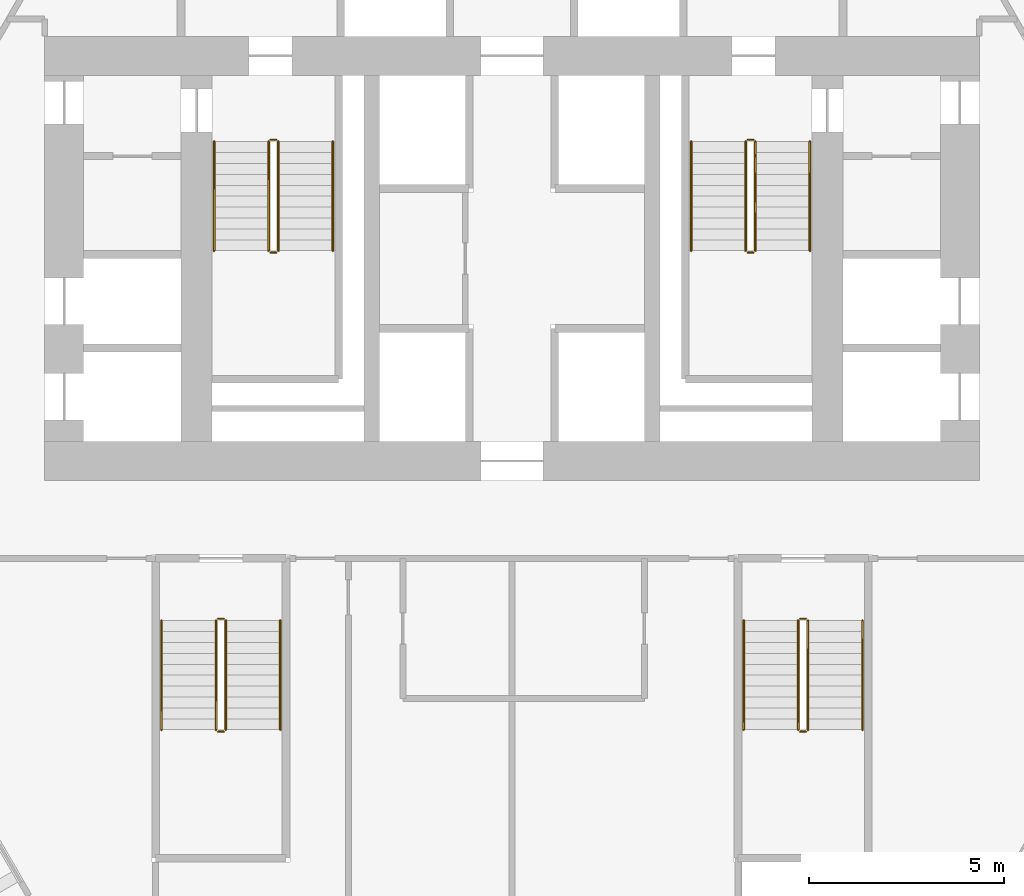
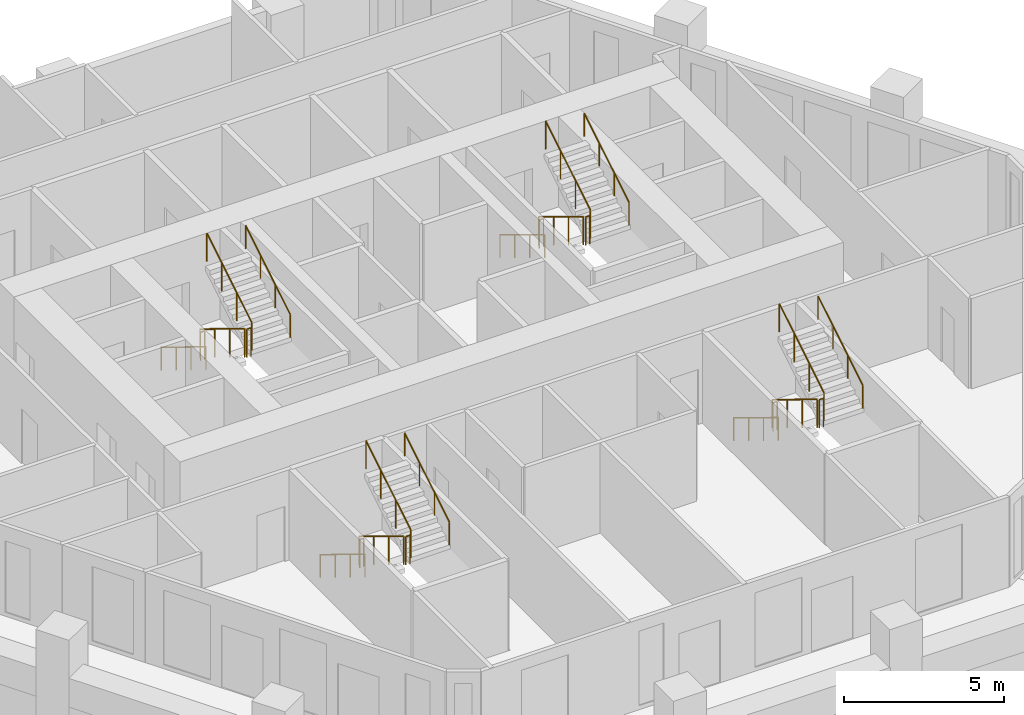
# One storey, part 7 of 7: 24 railings.
"""IFC4 building model written with IfcOpenShell, lengths in metres."""

from ifc_helpers import new_model, si_unit, direction, frame, origin, origin_2d, place, context, subcontext, project, spatial, circle, extrude, material, type_object, element, save


model = new_model("IFC4")

# Units and contexts
model_context = context("Model", 3, precision=1e-05, world=origin(), true_north=direction((0.0, 1.0)))
body_context = subcontext(model_context, "Body", "Model", "MODEL_VIEW")
ifc_project = project(units=[si_unit("LENGTHUNIT", "METRE"), si_unit("AREAUNIT", "SQUARE_METRE"), si_unit("VOLUMEUNIT", "CUBIC_METRE"), si_unit("PLANEANGLEUNIT", "RADIAN"), si_unit("MASSUNIT", "GRAM", prefix="KILO")], contexts=[model_context])

# Site, building, storey
site_placement = place(None, origin())
site = spatial("IfcSite", under=ifc_project, at=site_placement, CompositionType="ELEMENT")
building_placement = place(site_placement, origin())
building = spatial("IfcBuilding", under=site, at=building_placement, Name="Ostrander Bayou Hotel Tower", CompositionType="ELEMENT")
storey_placement = place(building_placement, frame((0.0, 0.0, 119.75)))
storey = spatial("IfcBuildingStorey", under=building, at=storey_placement, Name="L29", CompositionType="ELEMENT", Elevation=119.75)

# Railings
ifc_material_1 = material(Name="Steel ASTM A500 Gr C", Category="steel")
railing_type_1 = type_object("IfcRailingType", Name="GR1 stair guard 1100 mm steel", PredefinedType="GUARDRAIL", material=ifc_material_1)
railing_1_placement = place(storey_placement, frame((-6.25, 7.0, 0.17041015625)))
element("IfcRailing", 1, at=railing_1_placement, inside=storey, type_object=railing_type_1, Name="L29 STA stair guard 1", PredefinedType="GUARDRAIL", context=body_context, shape_type="SweptSolid", body=[
    extrude(circle(Radius=0.02392578125, at=origin_2d()), frame((0.0, 0.0, 1.076171875), z_axis=(0.0, -0.854169791009, 0.51999420009), x_axis=(1.0, 0.0, 0.0)), (0.0, 0.0, 1.0), 3.278076171875),
    extrude(circle(Radius=0.02099609375, at=origin_2d()), origin(), (0.0, 0.0, 1.0), 1.052001953125),
    extrude(circle(Radius=0.02099609375, at=origin_2d()), frame((0.0, -0.933349609375, 0.568115234375)), (0.0, 0.0, 1.0), 1.052001953125),
    extrude(circle(Radius=0.02099609375, at=origin_2d()), frame((0.0, -1.86669921875, 1.136474609375)), (0.0, 0.0, 1.0), 1.052001953125),
    extrude(circle(Radius=0.02099609375, at=origin_2d()), frame((0.0, -2.800048828125, 1.70458984375)), (0.0, 0.0, 1.0), 1.052001953125),
])
railing_2_placement = place(storey_placement, frame((-6.199951171875, 4.14990234375, 1.875)))
element("IfcRailing", 2, at=railing_2_placement, inside=storey, type_object=railing_type_1, Name="L29 STA stair guard 2", PredefinedType="GUARDRAIL", context=body_context, shape_type="SweptSolid", body=[
    extrude(circle(Radius=0.02392578125, at=origin_2d()), frame((0.0, 0.0, 1.076171875), z_axis=(1.0, 0.0, 0.0), x_axis=(0.0, 1.0, 0.0)), (0.0, 0.0, 1.0), 0.14990234375),
    extrude(circle(Radius=0.02099609375, at=origin_2d()), origin(), (0.0, 0.0, 1.0), 1.052001953125),
    extrude(circle(Radius=0.02099609375, at=origin_2d()), frame((0.14990234375, 0.0, 0.0)), (0.0, 0.0, 1.0), 1.052001953125),
])
railing_3_placement = place(storey_placement, frame((-6.0, 4.199951171875, 2.04541015625)))
element("IfcRailing", 3, at=railing_3_placement, inside=storey, type_object=railing_type_1, Name="L29 STA stair guard 3", PredefinedType="GUARDRAIL", context=body_context, shape_type="SweptSolid", body=[
    extrude(circle(Radius=0.02392578125, at=origin_2d()), frame((0.0, 0.0, 1.076171875), z_axis=(0.0, 0.854169791009, 0.51999420009), x_axis=(-1.0, 0.0, 0.0)), (0.0, 0.0, 1.0), 3.278076171875),
    extrude(circle(Radius=0.02099609375, at=origin_2d()), origin(), (0.0, 0.0, 1.0), 1.052001953125),
    extrude(circle(Radius=0.02099609375, at=origin_2d()), frame((0.0, 0.933349609375, 0.568115234375)), (0.0, 0.0, 1.0), 1.052001953125),
    extrude(circle(Radius=0.02099609375, at=origin_2d()), frame((0.0, 1.86669921875, 1.136474609375)), (0.0, 0.0, 1.0), 1.052001953125),
    extrude(circle(Radius=0.02099609375, at=origin_2d()), frame((0.0, 2.800048828125, 1.70458984375)), (0.0, 0.0, 1.0), 1.052001953125),
])
railing_4_placement = place(storey_placement, frame((-6.199951171875, 7.050048828125, 0.0)))
element("IfcRailing", 4, at=railing_4_placement, inside=storey, type_object=railing_type_1, Name="L29 STA stair guard 4", PredefinedType="GUARDRAIL", context=body_context, shape_type="SweptSolid", body=[
    extrude(circle(Radius=0.02392578125, at=origin_2d()), frame((0.0, 0.0, 1.076171875), z_axis=(1.0, 0.0, 0.0), x_axis=(0.0, 1.0, 0.0)), (0.0, 0.0, 1.0), 0.14990234375),
    extrude(circle(Radius=0.02099609375, at=origin_2d()), origin(), (0.0, 0.0, 1.0), 1.052001953125),
    extrude(circle(Radius=0.02099609375, at=origin_2d()), frame((0.14990234375, 0.0, 0.0)), (0.0, 0.0, 1.0), 1.052001953125),
])
railing_5_placement = place(storey_placement, frame((6.0, 7.0, 0.17041015625)))
element("IfcRailing", 5, at=railing_5_placement, inside=storey, type_object=railing_type_1, Name="L29 STB stair guard 1", PredefinedType="GUARDRAIL", context=body_context, shape_type="SweptSolid", body=[
    extrude(circle(Radius=0.02392578125, at=origin_2d()), frame((0.0, 0.0, 1.076171875), z_axis=(0.0, -0.854169791009, 0.51999420009), x_axis=(1.0, 0.0, 0.0)), (0.0, 0.0, 1.0), 3.278076171875),
    extrude(circle(Radius=0.02099609375, at=origin_2d()), origin(), (0.0, 0.0, 1.0), 1.052001953125),
    extrude(circle(Radius=0.02099609375, at=origin_2d()), frame((0.0, -0.933349609375, 0.568115234375)), (0.0, 0.0, 1.0), 1.052001953125),
    extrude(circle(Radius=0.02099609375, at=origin_2d()), frame((0.0, -1.86669921875, 1.136474609375)), (0.0, 0.0, 1.0), 1.052001953125),
    extrude(circle(Radius=0.02099609375, at=origin_2d()), frame((0.0, -2.800048828125, 1.70458984375)), (0.0, 0.0, 1.0), 1.052001953125),
])
railing_6_placement = place(storey_placement, frame((6.050048828125, 4.14990234375, 1.875)))
element("IfcRailing", 6, at=railing_6_placement, inside=storey, type_object=railing_type_1, Name="L29 STB stair guard 2", PredefinedType="GUARDRAIL", context=body_context, shape_type="SweptSolid", body=[
    extrude(circle(Radius=0.02392578125, at=origin_2d()), frame((0.0, 0.0, 1.076171875), z_axis=(1.0, 0.0, 0.0), x_axis=(0.0, 1.0, 0.0)), (0.0, 0.0, 1.0), 0.14990234375),
    extrude(circle(Radius=0.02099609375, at=origin_2d()), origin(), (0.0, 0.0, 1.0), 1.052001953125),
    extrude(circle(Radius=0.02099609375, at=origin_2d()), frame((0.14990234375, 0.0, 0.0)), (0.0, 0.0, 1.0), 1.052001953125),
])
railing_7_placement = place(storey_placement, frame((6.25, 4.199951171875, 2.04541015625)))
element("IfcRailing", 7, at=railing_7_placement, inside=storey, type_object=railing_type_1, Name="L29 STB stair guard 3", PredefinedType="GUARDRAIL", context=body_context, shape_type="SweptSolid", body=[
    extrude(circle(Radius=0.02392578125, at=origin_2d()), frame((0.0, 0.0, 1.076171875), z_axis=(0.0, 0.854169791009, 0.51999420009), x_axis=(-1.0, 0.0, 0.0)), (0.0, 0.0, 1.0), 3.278076171875),
    extrude(circle(Radius=0.02099609375, at=origin_2d()), origin(), (0.0, 0.0, 1.0), 1.052001953125),
    extrude(circle(Radius=0.02099609375, at=origin_2d()), frame((0.0, 0.933349609375, 0.568115234375)), (0.0, 0.0, 1.0), 1.052001953125),
    extrude(circle(Radius=0.02099609375, at=origin_2d()), frame((0.0, 1.86669921875, 1.136474609375)), (0.0, 0.0, 1.0), 1.052001953125),
    extrude(circle(Radius=0.02099609375, at=origin_2d()), frame((0.0, 2.800048828125, 1.70458984375)), (0.0, 0.0, 1.0), 1.052001953125),
])
railing_8_placement = place(storey_placement, frame((6.050048828125, 7.050048828125, 0.0)))
element("IfcRailing", 8, at=railing_8_placement, inside=storey, type_object=railing_type_1, Name="L29 STB stair guard 4", PredefinedType="GUARDRAIL", context=body_context, shape_type="SweptSolid", body=[
    extrude(circle(Radius=0.02392578125, at=origin_2d()), frame((0.0, 0.0, 1.076171875), z_axis=(1.0, 0.0, 0.0), x_axis=(0.0, 1.0, 0.0)), (0.0, 0.0, 1.0), 0.14990234375),
    extrude(circle(Radius=0.02099609375, at=origin_2d()), origin(), (0.0, 0.0, 1.0), 1.052001953125),
    extrude(circle(Radius=0.02099609375, at=origin_2d()), frame((0.14990234375, 0.0, 0.0)), (0.0, 0.0, 1.0), 1.052001953125),
])
railing_9_placement = place(storey_placement, frame((7.35009765625, -5.300048828125, 0.17041015625)))
element("IfcRailing", 9, at=railing_9_placement, inside=storey, type_object=railing_type_1, Name="L29 STC stair guard 1", PredefinedType="GUARDRAIL", context=body_context, shape_type="SweptSolid", body=[
    extrude(circle(Radius=0.02392578125, at=origin_2d()), frame((0.0, 0.0, 1.076171875), z_axis=(0.0, -0.854169791009, 0.51999420009), x_axis=(1.0, 0.0, 0.0)), (0.0, 0.0, 1.0), 3.278076171875),
    extrude(circle(Radius=0.02099609375, at=origin_2d()), origin(), (0.0, 0.0, 1.0), 1.052001953125),
    extrude(circle(Radius=0.02099609375, at=origin_2d()), frame((0.0, -0.933349609375, 0.568115234375)), (0.0, 0.0, 1.0), 1.052001953125),
    extrude(circle(Radius=0.02099609375, at=origin_2d()), frame((0.0, -1.86669921875, 1.136474609375)), (0.0, 0.0, 1.0), 1.052001953125),
    extrude(circle(Radius=0.02099609375, at=origin_2d()), frame((0.0, -2.800048828125, 1.70458984375)), (0.0, 0.0, 1.0), 1.052001953125),
])
railing_10_placement = place(storey_placement, frame((7.39990234375, -8.14990234375, 1.875)))
element("IfcRailing", 10, at=railing_10_placement, inside=storey, type_object=railing_type_1, Name="L29 STC stair guard 2", PredefinedType="GUARDRAIL", context=body_context, shape_type="SweptSolid", body=[
    extrude(circle(Radius=0.02392578125, at=origin_2d()), frame((0.0, 0.0, 1.076171875), z_axis=(1.0, 0.0, 0.0), x_axis=(0.0, 1.0, 0.0)), (0.0, 0.0, 1.0), 0.150146484375),
    extrude(circle(Radius=0.02099609375, at=origin_2d()), origin(), (0.0, 0.0, 1.0), 1.052001953125),
    extrude(circle(Radius=0.02099609375, at=origin_2d()), frame((0.150146484375, 0.0, 0.0)), (0.0, 0.0, 1.0), 1.052001953125),
])
railing_11_placement = place(storey_placement, frame((7.60009765625, -8.10009765625, 2.04541015625)))
element("IfcRailing", 11, at=railing_11_placement, inside=storey, type_object=railing_type_1, Name="L29 STC stair guard 3", PredefinedType="GUARDRAIL", context=body_context, shape_type="SweptSolid", body=[
    extrude(circle(Radius=0.02392578125, at=origin_2d()), frame((0.0, 0.0, 1.076171875), z_axis=(0.0, 0.854169791009, 0.51999420009), x_axis=(-1.0, 0.0, 0.0)), (0.0, 0.0, 1.0), 3.278076171875),
    extrude(circle(Radius=0.02099609375, at=origin_2d()), origin(), (0.0, 0.0, 1.0), 1.052001953125),
    extrude(circle(Radius=0.02099609375, at=origin_2d()), frame((0.0, 0.933349609375, 0.568115234375)), (0.0, 0.0, 1.0), 1.052001953125),
    extrude(circle(Radius=0.02099609375, at=origin_2d()), frame((0.0, 1.86669921875, 1.136474609375)), (0.0, 0.0, 1.0), 1.052001953125),
    extrude(circle(Radius=0.02099609375, at=origin_2d()), frame((0.0, 2.800048828125, 1.70458984375)), (0.0, 0.0, 1.0), 1.052001953125),
])
railing_12_placement = place(storey_placement, frame((7.39990234375, -5.25, 0.0)))
element("IfcRailing", 12, at=railing_12_placement, inside=storey, type_object=railing_type_1, Name="L29 STC stair guard 4", PredefinedType="GUARDRAIL", context=body_context, shape_type="SweptSolid", body=[
    extrude(circle(Radius=0.02392578125, at=origin_2d()), frame((0.0, 0.0, 1.076171875), z_axis=(1.0, 0.0, 0.0), x_axis=(0.0, 1.0, 0.0)), (0.0, 0.0, 1.0), 0.150146484375),
    extrude(circle(Radius=0.02099609375, at=origin_2d()), origin(), (0.0, 0.0, 1.0), 1.052001953125),
    extrude(circle(Radius=0.02099609375, at=origin_2d()), frame((0.150146484375, 0.0, 0.0)), (0.0, 0.0, 1.0), 1.052001953125),
])
railing_13_placement = place(storey_placement, frame((-7.60009765625, -5.300048828125, 0.17041015625)))
element("IfcRailing", 13, at=railing_13_placement, inside=storey, type_object=railing_type_1, Name="L29 STD stair guard 1", PredefinedType="GUARDRAIL", context=body_context, shape_type="SweptSolid", body=[
    extrude(circle(Radius=0.02392578125, at=origin_2d()), frame((0.0, 0.0, 1.076171875), z_axis=(0.0, -0.854169791009, 0.51999420009), x_axis=(1.0, 0.0, 0.0)), (0.0, 0.0, 1.0), 3.278076171875),
    extrude(circle(Radius=0.02099609375, at=origin_2d()), origin(), (0.0, 0.0, 1.0), 1.052001953125),
    extrude(circle(Radius=0.02099609375, at=origin_2d()), frame((0.0, -0.933349609375, 0.568115234375)), (0.0, 0.0, 1.0), 1.052001953125),
    extrude(circle(Radius=0.02099609375, at=origin_2d()), frame((0.0, -1.86669921875, 1.136474609375)), (0.0, 0.0, 1.0), 1.052001953125),
    extrude(circle(Radius=0.02099609375, at=origin_2d()), frame((0.0, -2.800048828125, 1.70458984375)), (0.0, 0.0, 1.0), 1.052001953125),
])
railing_14_placement = place(storey_placement, frame((-7.550048828125, -8.14990234375, 1.875)))
element("IfcRailing", 14, at=railing_14_placement, inside=storey, type_object=railing_type_1, Name="L29 STD stair guard 2", PredefinedType="GUARDRAIL", context=body_context, shape_type="SweptSolid", body=[
    extrude(circle(Radius=0.02392578125, at=origin_2d()), frame((0.0, 0.0, 1.076171875), z_axis=(1.0, 0.0, 0.0), x_axis=(0.0, 1.0, 0.0)), (0.0, 0.0, 1.0), 0.150146484375),
    extrude(circle(Radius=0.02099609375, at=origin_2d()), origin(), (0.0, 0.0, 1.0), 1.052001953125),
    extrude(circle(Radius=0.02099609375, at=origin_2d()), frame((0.150146484375, 0.0, 0.0)), (0.0, 0.0, 1.0), 1.052001953125),
])
railing_15_placement = place(storey_placement, frame((-7.35009765625, -8.10009765625, 2.04541015625)))
element("IfcRailing", 15, at=railing_15_placement, inside=storey, type_object=railing_type_1, Name="L29 STD stair guard 3", PredefinedType="GUARDRAIL", context=body_context, shape_type="SweptSolid", body=[
    extrude(circle(Radius=0.02392578125, at=origin_2d()), frame((0.0, 0.0, 1.076171875), z_axis=(0.0, 0.854169791009, 0.51999420009), x_axis=(-1.0, 0.0, 0.0)), (0.0, 0.0, 1.0), 3.278076171875),
    extrude(circle(Radius=0.02099609375, at=origin_2d()), origin(), (0.0, 0.0, 1.0), 1.052001953125),
    extrude(circle(Radius=0.02099609375, at=origin_2d()), frame((0.0, 0.933349609375, 0.568115234375)), (0.0, 0.0, 1.0), 1.052001953125),
    extrude(circle(Radius=0.02099609375, at=origin_2d()), frame((0.0, 1.86669921875, 1.136474609375)), (0.0, 0.0, 1.0), 1.052001953125),
    extrude(circle(Radius=0.02099609375, at=origin_2d()), frame((0.0, 2.800048828125, 1.70458984375)), (0.0, 0.0, 1.0), 1.052001953125),
])
railing_16_placement = place(storey_placement, frame((-7.550048828125, -5.25, 0.0)))
element("IfcRailing", 16, at=railing_16_placement, inside=storey, type_object=railing_type_1, Name="L29 STD stair guard 4", PredefinedType="GUARDRAIL", context=body_context, shape_type="SweptSolid", body=[
    extrude(circle(Radius=0.02392578125, at=origin_2d()), frame((0.0, 0.0, 1.076171875), z_axis=(1.0, 0.0, 0.0), x_axis=(0.0, 1.0, 0.0)), (0.0, 0.0, 1.0), 0.150146484375),
    extrude(circle(Radius=0.02099609375, at=origin_2d()), origin(), (0.0, 0.0, 1.0), 1.052001953125),
    extrude(circle(Radius=0.02099609375, at=origin_2d()), frame((0.150146484375, 0.0, 0.0)), (0.0, 0.0, 1.0), 1.052001953125),
])
ifc_material_2 = material(Name="Steel ASTM A500 Gr C", Category="steel")
railing_type_2 = type_object("IfcRailingType", Name="HR1 stair handrail 900 mm steel", PredefinedType="HANDRAIL", material=ifc_material_2)
railing_17_placement = place(storey_placement, frame((-7.64990234375, 7.0, 0.17041015625)))
element("IfcRailing", 17, at=railing_17_placement, inside=storey, type_object=railing_type_2, Name="L29 STA stair handrail 1", PredefinedType="HANDRAIL", context=body_context, shape_type="SweptSolid", body=[
    extrude(circle(Radius=0.02392578125, at=origin_2d()), frame((0.0, 0.0, 0.8759765625), z_axis=(0.0, -0.854169791009, 0.51999420009), x_axis=(1.0, 0.0, 0.0)), (0.0, 0.0, 1.0), 3.278076171875),
    extrude(circle(Radius=0.02099609375, at=origin_2d()), origin(), (0.0, 0.0, 1.0), 0.851806640625),
    extrude(circle(Radius=0.02099609375, at=origin_2d()), frame((0.0, -0.933349609375, 0.568115234375)), (0.0, 0.0, 1.0), 0.851806640625),
    extrude(circle(Radius=0.02099609375, at=origin_2d()), frame((0.0, -1.86669921875, 1.136474609375)), (0.0, 0.0, 1.0), 0.851806640625),
    extrude(circle(Radius=0.02099609375, at=origin_2d()), frame((0.0, -2.800048828125, 1.70458984375)), (0.0, 0.0, 1.0), 0.851806640625),
])
railing_18_placement = place(storey_placement, frame((-4.60009765625, 4.199951171875, 2.04541015625)))
element("IfcRailing", 18, at=railing_18_placement, inside=storey, type_object=railing_type_2, Name="L29 STA stair handrail 2", PredefinedType="HANDRAIL", context=body_context, shape_type="SweptSolid", body=[
    extrude(circle(Radius=0.02392578125, at=origin_2d()), frame((0.0, 0.0, 0.8759765625), z_axis=(0.0, 0.854169791009, 0.51999420009), x_axis=(-1.0, 0.0, 0.0)), (0.0, 0.0, 1.0), 3.278076171875),
    extrude(circle(Radius=0.02099609375, at=origin_2d()), origin(), (0.0, 0.0, 1.0), 0.851806640625),
    extrude(circle(Radius=0.02099609375, at=origin_2d()), frame((0.0, 0.933349609375, 0.568115234375)), (0.0, 0.0, 1.0), 0.851806640625),
    extrude(circle(Radius=0.02099609375, at=origin_2d()), frame((0.0, 1.86669921875, 1.136474609375)), (0.0, 0.0, 1.0), 0.851806640625),
    extrude(circle(Radius=0.02099609375, at=origin_2d()), frame((0.0, 2.800048828125, 1.70458984375)), (0.0, 0.0, 1.0), 0.851806640625),
])
railing_19_placement = place(storey_placement, frame((4.60009765625, 7.0, 0.17041015625)))
element("IfcRailing", 19, at=railing_19_placement, inside=storey, type_object=railing_type_2, Name="L29 STB stair handrail 1", PredefinedType="HANDRAIL", context=body_context, shape_type="SweptSolid", body=[
    extrude(circle(Radius=0.02392578125, at=origin_2d()), frame((0.0, 0.0, 0.8759765625), z_axis=(0.0, -0.854169791009, 0.51999420009), x_axis=(1.0, 0.0, 0.0)), (0.0, 0.0, 1.0), 3.278076171875),
    extrude(circle(Radius=0.02099609375, at=origin_2d()), origin(), (0.0, 0.0, 1.0), 0.851806640625),
    extrude(circle(Radius=0.02099609375, at=origin_2d()), frame((0.0, -0.933349609375, 0.568115234375)), (0.0, 0.0, 1.0), 0.851806640625),
    extrude(circle(Radius=0.02099609375, at=origin_2d()), frame((0.0, -1.86669921875, 1.136474609375)), (0.0, 0.0, 1.0), 0.851806640625),
    extrude(circle(Radius=0.02099609375, at=origin_2d()), frame((0.0, -2.800048828125, 1.70458984375)), (0.0, 0.0, 1.0), 0.851806640625),
])
railing_20_placement = place(storey_placement, frame((7.64990234375, 4.199951171875, 2.04541015625)))
element("IfcRailing", 20, at=railing_20_placement, inside=storey, type_object=railing_type_2, Name="L29 STB stair handrail 2", PredefinedType="HANDRAIL", context=body_context, shape_type="SweptSolid", body=[
    extrude(circle(Radius=0.02392578125, at=origin_2d()), frame((0.0, 0.0, 0.8759765625), z_axis=(0.0, 0.854169791009, 0.51999420009), x_axis=(-1.0, 0.0, 0.0)), (0.0, 0.0, 1.0), 3.278076171875),
    extrude(circle(Radius=0.02099609375, at=origin_2d()), origin(), (0.0, 0.0, 1.0), 0.851806640625),
    extrude(circle(Radius=0.02099609375, at=origin_2d()), frame((0.0, 0.933349609375, 0.568115234375)), (0.0, 0.0, 1.0), 0.851806640625),
    extrude(circle(Radius=0.02099609375, at=origin_2d()), frame((0.0, 1.86669921875, 1.136474609375)), (0.0, 0.0, 1.0), 0.851806640625),
    extrude(circle(Radius=0.02099609375, at=origin_2d()), frame((0.0, 2.800048828125, 1.70458984375)), (0.0, 0.0, 1.0), 0.851806640625),
])
railing_21_placement = place(storey_placement, frame((5.949951171875, -5.300048828125, 0.17041015625)))
element("IfcRailing", 21, at=railing_21_placement, inside=storey, type_object=railing_type_2, Name="L29 STC stair handrail 1", PredefinedType="HANDRAIL", context=body_context, shape_type="SweptSolid", body=[
    extrude(circle(Radius=0.02392578125, at=origin_2d()), frame((0.0, 0.0, 0.8759765625), z_axis=(0.0, -0.854169791009, 0.51999420009), x_axis=(1.0, 0.0, 0.0)), (0.0, 0.0, 1.0), 3.278076171875),
    extrude(circle(Radius=0.02099609375, at=origin_2d()), origin(), (0.0, 0.0, 1.0), 0.851806640625),
    extrude(circle(Radius=0.02099609375, at=origin_2d()), frame((0.0, -0.933349609375, 0.568115234375)), (0.0, 0.0, 1.0), 0.851806640625),
    extrude(circle(Radius=0.02099609375, at=origin_2d()), frame((0.0, -1.86669921875, 1.136474609375)), (0.0, 0.0, 1.0), 0.851806640625),
    extrude(circle(Radius=0.02099609375, at=origin_2d()), frame((0.0, -2.800048828125, 1.70458984375)), (0.0, 0.0, 1.0), 0.851806640625),
])
railing_22_placement = place(storey_placement, frame((9.0, -8.10009765625, 2.04541015625)))
element("IfcRailing", 22, at=railing_22_placement, inside=storey, type_object=railing_type_2, Name="L29 STC stair handrail 2", PredefinedType="HANDRAIL", context=body_context, shape_type="SweptSolid", body=[
    extrude(circle(Radius=0.02392578125, at=origin_2d()), frame((0.0, 0.0, 0.8759765625), z_axis=(0.0, 0.854169791009, 0.51999420009), x_axis=(-1.0, 0.0, 0.0)), (0.0, 0.0, 1.0), 3.278076171875),
    extrude(circle(Radius=0.02099609375, at=origin_2d()), origin(), (0.0, 0.0, 1.0), 0.851806640625),
    extrude(circle(Radius=0.02099609375, at=origin_2d()), frame((0.0, 0.933349609375, 0.568115234375)), (0.0, 0.0, 1.0), 0.851806640625),
    extrude(circle(Radius=0.02099609375, at=origin_2d()), frame((0.0, 1.86669921875, 1.136474609375)), (0.0, 0.0, 1.0), 0.851806640625),
    extrude(circle(Radius=0.02099609375, at=origin_2d()), frame((0.0, 2.800048828125, 1.70458984375)), (0.0, 0.0, 1.0), 0.851806640625),
])
railing_23_placement = place(storey_placement, frame((-9.0, -5.300048828125, 0.17041015625)))
element("IfcRailing", 23, at=railing_23_placement, inside=storey, type_object=railing_type_2, Name="L29 STD stair handrail 1", PredefinedType="HANDRAIL", context=body_context, shape_type="SweptSolid", body=[
    extrude(circle(Radius=0.02392578125, at=origin_2d()), frame((0.0, 0.0, 0.8759765625), z_axis=(0.0, -0.854169791009, 0.51999420009), x_axis=(1.0, 0.0, 0.0)), (0.0, 0.0, 1.0), 3.278076171875),
    extrude(circle(Radius=0.02099609375, at=origin_2d()), origin(), (0.0, 0.0, 1.0), 0.851806640625),
    extrude(circle(Radius=0.02099609375, at=origin_2d()), frame((0.0, -0.933349609375, 0.568115234375)), (0.0, 0.0, 1.0), 0.851806640625),
    extrude(circle(Radius=0.02099609375, at=origin_2d()), frame((0.0, -1.86669921875, 1.136474609375)), (0.0, 0.0, 1.0), 0.851806640625),
    extrude(circle(Radius=0.02099609375, at=origin_2d()), frame((0.0, -2.800048828125, 1.70458984375)), (0.0, 0.0, 1.0), 0.851806640625),
])
railing_24_placement = place(storey_placement, frame((-5.949951171875, -8.10009765625, 2.04541015625)))
element("IfcRailing", 24, at=railing_24_placement, inside=storey, type_object=railing_type_2, Name="L29 STD stair handrail 2", PredefinedType="HANDRAIL", context=body_context, shape_type="SweptSolid", body=[
    extrude(circle(Radius=0.02392578125, at=origin_2d()), frame((0.0, 0.0, 0.8759765625), z_axis=(0.0, 0.854169791009, 0.51999420009), x_axis=(-1.0, 0.0, 0.0)), (0.0, 0.0, 1.0), 3.278076171875),
    extrude(circle(Radius=0.02099609375, at=origin_2d()), origin(), (0.0, 0.0, 1.0), 0.851806640625),
    extrude(circle(Radius=0.02099609375, at=origin_2d()), frame((0.0, 0.933349609375, 0.568115234375)), (0.0, 0.0, 1.0), 0.851806640625),
    extrude(circle(Radius=0.02099609375, at=origin_2d()), frame((0.0, 1.86669921875, 1.136474609375)), (0.0, 0.0, 1.0), 0.851806640625),
    extrude(circle(Radius=0.02099609375, at=origin_2d()), frame((0.0, 2.800048828125, 1.70458984375)), (0.0, 0.0, 1.0), 0.851806640625),
])

save(model, "model.ifc")
